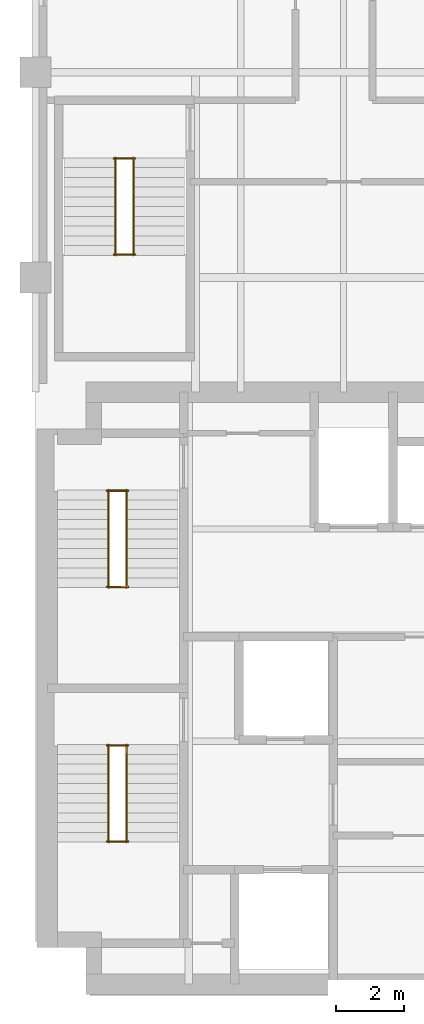
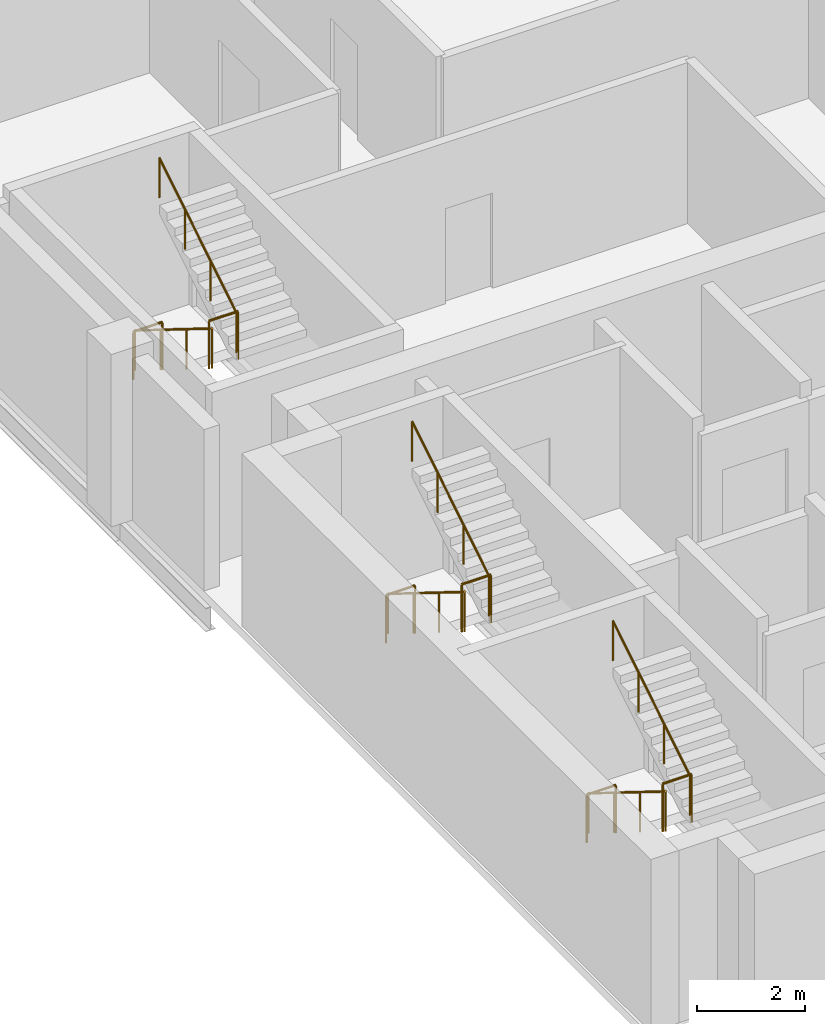
# One storey, part 6 of 6: 12 railings.
"""IFC4 building model written with IfcOpenShell, lengths in metres."""

from ifc_helpers import new_model, si_unit, direction, frame, origin, origin_2d, place, context, subcontext, project, spatial, circle, extrude, material, type_object, element, save


model = new_model("IFC4")

# Units and contexts
model_context = context("Model", 3, precision=1e-05, world=origin(), true_north=direction((0.0, 1.0)))
body_context = subcontext(model_context, "Body", "Model", "MODEL_VIEW")
ifc_project = project(units=[si_unit("LENGTHUNIT", "METRE"), si_unit("AREAUNIT", "SQUARE_METRE"), si_unit("VOLUMEUNIT", "CUBIC_METRE"), si_unit("PLANEANGLEUNIT", "RADIAN"), si_unit("MASSUNIT", "GRAM", prefix="KILO")], contexts=[model_context])

# Site, building, storey
site_placement = place(None, origin())
site = spatial("IfcSite", under=ifc_project, at=site_placement, CompositionType="ELEMENT")
building_placement = place(site_placement, origin())
building = spatial("IfcBuilding", under=site, at=building_placement, Name="Mawjdan Bourse Tower", CompositionType="ELEMENT")
storey_placement = place(building_placement, frame((0.0, 0.0, 219.0)))
storey = spatial("IfcBuildingStorey", under=building, at=storey_placement, Name="L53", CompositionType="ELEMENT", Elevation=219.0)

# Railings
ifc_material_1 = material(Name="Structural Steel S355", Category="steel")
railing_type_1 = type_object("IfcRailingType", Name="RLG-GRD-1100", PredefinedType="GUARDRAIL", material=ifc_material_1)
for number, where, name in (
    (1, (8.090087890625, 7.52001953125, 1.949951171875), "L53 ST1 Landing Guardrail GL-MID"),
    (2, (8.090087890625, 10.330078125, 0.0), "L53 ST1 Landing Guardrail GL-BOT"),
    (3, (8.090087890625, 14.9599609375, 1.949951171875), "L53 ST2 Landing Guardrail GL-MID"),
    (4, (8.090087890625, 17.77001953125, 0.0), "L53 ST2 Landing Guardrail GL-BOT"),
    (5, (8.2900390625, 24.669921875, 1.949951171875), "L53 ST3 Landing Guardrail GL-MID"),
    (6, (8.2900390625, 27.47998046875, 0.0), "L53 ST3 Landing Guardrail GL-BOT"),
):
    element("IfcRailing", number, at=place(storey_placement, frame(where)), inside=storey, type_object=railing_type_1, Name=name, PredefinedType="GUARDRAIL", context=body_context, shape_type="SweptSolid", body=[
        extrude(circle(Radius=0.02490234375, at=origin_2d()), frame((0.0, 0.0, 1.0751953125), z_axis=(1.0, 0.0, 0.0), x_axis=(0.0, 1.0, 0.0)), (0.0, 0.0, 1.0), 0.619873046875),
        extrude(circle(Radius=0.02099609375, at=origin_2d()), origin(), (0.0, 0.0, 1.0), 1.050048828125),
        extrude(circle(Radius=0.02099609375, at=origin_2d()), frame((0.619873046875, 0.0, 0.0)), (0.0, 0.0, 1.0), 1.050048828125),
    ])
ifc_material_2 = material(Name="Brushed Stainless Steel", Category="steel")
railing_type_2 = type_object("IfcRailingType", Name="RLG-HND-920", PredefinedType="HANDRAIL", material=ifc_material_2)
railing_1_placement = place(storey_placement, frame((8.139892578125, 10.35009765625, 0.17724609375)))
element("IfcRailing", 7, at=railing_1_placement, inside=storey, type_object=railing_type_2, Name="L53 ST1 Flight Handrail HR1", PredefinedType="HANDRAIL", context=body_context, shape_type="SweptSolid", body=[
    extrude(circle(Radius=0.0224609375, at=origin_2d()), frame((0.0, 0.0, 0.8974609375), z_axis=(0.0, -0.849148672731, 0.528153890072), x_axis=(1.0, 0.0, 0.0)), (0.0, 0.0, 1.0), 3.3564453125),
    extrude(circle(Radius=0.01904296875, at=origin_2d()), origin(), (0.0, 0.0, 1.0), 0.875),
    extrude(circle(Radius=0.01904296875, at=origin_2d()), frame((0.0, -0.949951171875, 0.5908203125)), (0.0, 0.0, 1.0), 0.875),
    extrude(circle(Radius=0.01904296875, at=origin_2d()), frame((0.0, -1.900146484375, 1.181884765625)), (0.0, 0.0, 1.0), 0.875),
    extrude(circle(Radius=0.01904296875, at=origin_2d()), frame((0.0, -2.85009765625, 1.772705078125)), (0.0, 0.0, 1.0), 0.875),
])
railing_2_placement = place(storey_placement, frame((8.659912109375, 7.5, 2.127197265625)))
element("IfcRailing", 8, at=railing_2_placement, inside=storey, type_object=railing_type_2, Name="L53 ST1 Flight Handrail HR2", PredefinedType="HANDRAIL", context=body_context, shape_type="SweptSolid", body=[
    extrude(circle(Radius=0.0224609375, at=origin_2d()), frame((0.0, 0.0, 0.8974609375), z_axis=(0.0, 0.849148672731, 0.528153890072), x_axis=(-1.0, 0.0, 0.0)), (0.0, 0.0, 1.0), 3.3564453125),
    extrude(circle(Radius=0.01904296875, at=origin_2d()), origin(), (0.0, 0.0, 1.0), 0.875),
    extrude(circle(Radius=0.01904296875, at=origin_2d()), frame((0.0, 0.949951171875, 0.5908203125)), (0.0, 0.0, 1.0), 0.875),
    extrude(circle(Radius=0.01904296875, at=origin_2d()), frame((0.0, 1.900146484375, 1.181884765625)), (0.0, 0.0, 1.0), 0.875),
    extrude(circle(Radius=0.01904296875, at=origin_2d()), frame((0.0, 2.85009765625, 1.772705078125)), (0.0, 0.0, 1.0), 0.875),
])
railing_3_placement = place(storey_placement, frame((8.139892578125, 17.7900390625, 0.17724609375)))
element("IfcRailing", 9, at=railing_3_placement, inside=storey, type_object=railing_type_2, Name="L53 ST2 Flight Handrail HR1", PredefinedType="HANDRAIL", context=body_context, shape_type="SweptSolid", body=[
    extrude(circle(Radius=0.0224609375, at=origin_2d()), frame((0.0, 0.0, 0.8974609375), z_axis=(0.0, -0.849148672731, 0.528153890072), x_axis=(1.0, 0.0, 0.0)), (0.0, 0.0, 1.0), 3.3564453125),
    extrude(circle(Radius=0.01904296875, at=origin_2d()), origin(), (0.0, 0.0, 1.0), 0.875),
    extrude(circle(Radius=0.01904296875, at=origin_2d()), frame((0.0, -0.949951171875, 0.5908203125)), (0.0, 0.0, 1.0), 0.875),
    extrude(circle(Radius=0.01904296875, at=origin_2d()), frame((0.0, -1.900146484375, 1.181884765625)), (0.0, 0.0, 1.0), 0.875),
    extrude(circle(Radius=0.01904296875, at=origin_2d()), frame((0.0, -2.85009765625, 1.772705078125)), (0.0, 0.0, 1.0), 0.875),
])
railing_4_placement = place(storey_placement, frame((8.659912109375, 14.93994140625, 2.127197265625)))
element("IfcRailing", 10, at=railing_4_placement, inside=storey, type_object=railing_type_2, Name="L53 ST2 Flight Handrail HR2", PredefinedType="HANDRAIL", context=body_context, shape_type="SweptSolid", body=[
    extrude(circle(Radius=0.0224609375, at=origin_2d()), frame((0.0, 0.0, 0.8974609375), z_axis=(0.0, 0.849148672731, 0.528153890072), x_axis=(-1.0, 0.0, 0.0)), (0.0, 0.0, 1.0), 3.3564453125),
    extrude(circle(Radius=0.01904296875, at=origin_2d()), origin(), (0.0, 0.0, 1.0), 0.875),
    extrude(circle(Radius=0.01904296875, at=origin_2d()), frame((0.0, 0.949951171875, 0.5908203125)), (0.0, 0.0, 1.0), 0.875),
    extrude(circle(Radius=0.01904296875, at=origin_2d()), frame((0.0, 1.900146484375, 1.181884765625)), (0.0, 0.0, 1.0), 0.875),
    extrude(circle(Radius=0.01904296875, at=origin_2d()), frame((0.0, 2.85009765625, 1.772705078125)), (0.0, 0.0, 1.0), 0.875),
])
railing_5_placement = place(storey_placement, frame((8.340087890625, 27.5, 0.17724609375)))
element("IfcRailing", 11, at=railing_5_placement, inside=storey, type_object=railing_type_2, Name="L53 ST3 Flight Handrail HR1", PredefinedType="HANDRAIL", context=body_context, shape_type="SweptSolid", body=[
    extrude(circle(Radius=0.0224609375, at=origin_2d()), frame((0.0, 0.0, 0.8974609375), z_axis=(0.0, -0.849148672731, 0.528153890072), x_axis=(1.0, 0.0, 0.0)), (0.0, 0.0, 1.0), 3.3564453125),
    extrude(circle(Radius=0.01904296875, at=origin_2d()), origin(), (0.0, 0.0, 1.0), 0.875),
    extrude(circle(Radius=0.01904296875, at=origin_2d()), frame((0.0, -0.949951171875, 0.5908203125)), (0.0, 0.0, 1.0), 0.875),
    extrude(circle(Radius=0.01904296875, at=origin_2d()), frame((0.0, -1.900146484375, 1.181884765625)), (0.0, 0.0, 1.0), 0.875),
    extrude(circle(Radius=0.01904296875, at=origin_2d()), frame((0.0, -2.85009765625, 1.772705078125)), (0.0, 0.0, 1.0), 0.875),
])
railing_6_placement = place(storey_placement, frame((8.860107421875, 24.64990234375, 2.127197265625)))
element("IfcRailing", 12, at=railing_6_placement, inside=storey, type_object=railing_type_2, Name="L53 ST3 Flight Handrail HR2", PredefinedType="HANDRAIL", context=body_context, shape_type="SweptSolid", body=[
    extrude(circle(Radius=0.0224609375, at=origin_2d()), frame((0.0, 0.0, 0.8974609375), z_axis=(0.0, 0.849148672731, 0.528153890072), x_axis=(-1.0, 0.0, 0.0)), (0.0, 0.0, 1.0), 3.3564453125),
    extrude(circle(Radius=0.01904296875, at=origin_2d()), origin(), (0.0, 0.0, 1.0), 0.875),
    extrude(circle(Radius=0.01904296875, at=origin_2d()), frame((0.0, 0.949951171875, 0.5908203125)), (0.0, 0.0, 1.0), 0.875),
    extrude(circle(Radius=0.01904296875, at=origin_2d()), frame((0.0, 1.900146484375, 1.181884765625)), (0.0, 0.0, 1.0), 0.875),
    extrude(circle(Radius=0.01904296875, at=origin_2d()), frame((0.0, 2.85009765625, 1.772705078125)), (0.0, 0.0, 1.0), 0.875),
])

save(model, "model.ifc")
